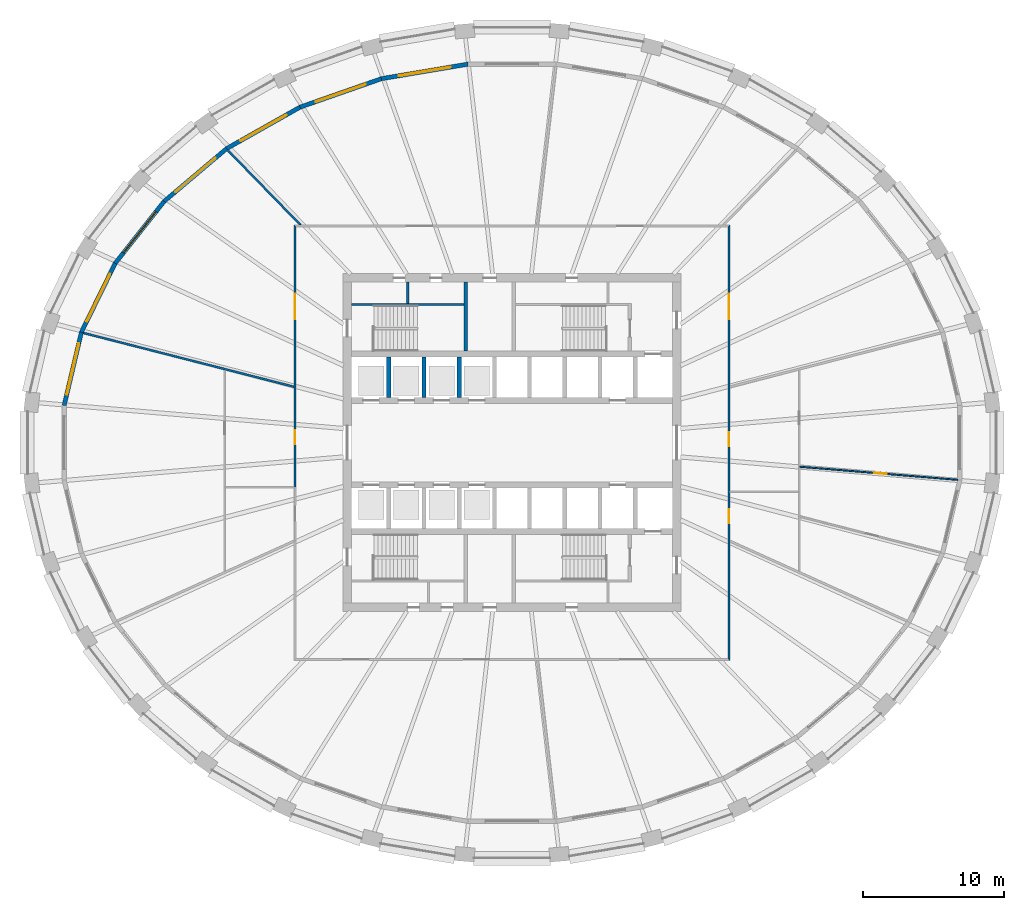
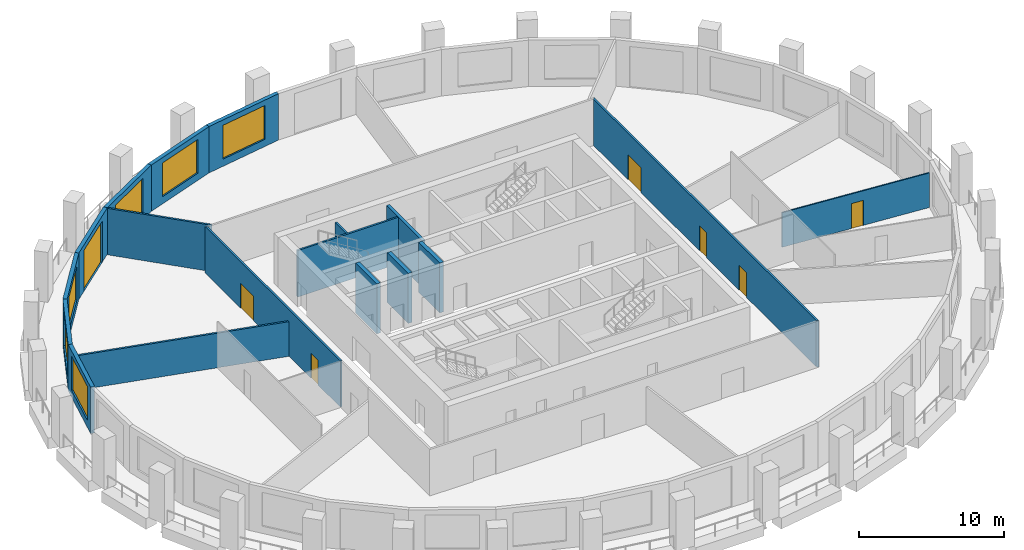
# One storey, part 5 of 10: 18 walls, 7 doors, 6 windows, 13 openings.
"""IFC4 building model written with IfcOpenShell, lengths in metres."""

from ifc_helpers import new_model, si_unit, direction, frame, frame_2d, origin, place, context, subcontext, project, spatial, polyline, rectangle, outline, extrude, material, layer, layer_set, type_object, element, fill, save


model = new_model("IFC4")

# Units and contexts
model_context = context("Model", 3, precision=1e-05, world=origin(), true_north=direction((0.0, 1.0)))
body_context = subcontext(model_context, "Body", "Model", "MODEL_VIEW")
ifc_project = project(units=[si_unit("LENGTHUNIT", "METRE"), si_unit("AREAUNIT", "SQUARE_METRE"), si_unit("VOLUMEUNIT", "CUBIC_METRE"), si_unit("PLANEANGLEUNIT", "RADIAN"), si_unit("MASSUNIT", "GRAM", prefix="KILO")], contexts=[model_context])

# Site, building, storey
site_placement = place(None, origin())
site = spatial("IfcSite", under=ifc_project, at=site_placement, CompositionType="ELEMENT")
building_placement = place(site_placement, origin())
building = spatial("IfcBuilding", under=site, at=building_placement, Name="Halqa Exchange Tower", CompositionType="ELEMENT")
storey_placement = place(building_placement, frame((0.0, 0.0, 138.10009765625)))
storey = spatial("IfcBuildingStorey", under=building, at=storey_placement, Name="L31", CompositionType="ELEMENT", Elevation=138.10009765625)

# Wall
ifc_material_1 = material(Name="Fire-rated gypsum board")
ifc_layer_1 = layer(ifc_material_1, 0.14990234375)
ifc_layer_set_1 = layer_set([ifc_layer_1], Name="Fire-rated gypsum board")
wall_type_1 = type_object("IfcWallType", Name="Fire partition EI 60 150", PredefinedType="PARTITIONING", material=ifc_layer_set_1)
wall_1_placement = place(storey_placement, frame((-30.434814453125, 7.794677734375, 0.0), z_axis=(0.0, 0.0, 1.0), x_axis=(0.968826155352, -0.247741560312, 0.0)))
element("IfcWall", 1, at=wall_1_placement, inside=storey, type_object=wall_type_1, Name="L31-PWL-001", PredefinedType="PARTITIONING", context=body_context, shape_type="SweptSolid", body=[
    extrude(outline(polyline([(0.0, -0.074951171875), (1.737060546875, -0.074951171875), (3.47412109375, -0.074951171875), (5.211181640625, -0.074951171875), (6.9482421875, -0.074951171875), (8.685302734375, -0.074951171875), (10.42236328125, -0.074951171875), (10.42822265625, -0.073486328125), (10.428466796875, -0.074951171875), (12.105712890625, -0.074951171875), (13.78271484375, -0.074951171875), (15.4599609375, -0.074951171875), (15.4599609375, -0.073486328125), (15.422119140625, 0.074951171875), (13.495849609375, 0.074951171875), (11.56982421875, 0.074951171875), (9.643798828125, 0.074951171875), (7.7177734375, 0.074951171875), (5.791748046875, 0.074951171875), (3.86572265625, 0.074951171875), (1.939453125, 0.074951171875), (0.013427734375, 0.074951171875), (0.0, 0.010498046875), (0.0, -0.074951171875)])), origin(), (0.0, 0.0, 1.0), 2.909912109375),
])

# Wall, openings, doors
wall_2_placement = place(storey_placement, frame((-15.39990234375, -3.159912109375, 0.0), z_axis=(0.0, 0.0, 1.0), x_axis=(0.0, 1.0, 0.0)))
wall_2 = element("IfcWall", 2, at=wall_2_placement, inside=storey, type_object=wall_type_1, Name="L31-PWL-008", PredefinedType="PARTITIONING", context=body_context, shape_type="SweptSolid", body=[
    extrude(outline(polyline([(0.0, -0.074951171875), (1.848388671875, -0.074951171875), (3.697021484375, -0.074951171875), (5.54541015625, -0.074951171875), (7.39404296875, -0.074951171875), (9.242431640625, -0.074951171875), (11.0908203125, -0.074951171875), (12.939453125, -0.074951171875), (14.787841796875, -0.074951171875), (16.636474609375, -0.074951171875), (18.48486328125, -0.074951171875), (18.634765625, 0.074951171875), (16.771240234375, 0.074951171875), (14.90771484375, 0.074951171875), (13.04443359375, 0.074951171875), (11.180908203125, 0.074951171875), (9.3173828125, 0.074951171875), (7.453857421875, 0.074951171875), (5.59033203125, 0.074951171875), (3.72705078125, 0.074951171875), (1.863525390625, 0.074951171875), (0.0, 0.074951171875), (0.0, -0.074951171875)])), origin(), (0.0, 0.0, 1.0), 3.89990234375),
])
opening_1_placement = place(wall_2_placement, frame((11.93505859375, 0.0, 0.0)))
opening_1 = element("IfcOpeningElement", 3, at=opening_1_placement, cuts=wall_2, Name="Opening 09-03", PredefinedType="OPENING", context=body_context, shape_type="SweptSolid", body=[
    extrude(rectangle(XDim=1.800048828125, YDim=2.10009765625, at=frame_2d((0.89990234375, 1.050048828125))), frame((0.0, 0.0869140625, 0.0), z_axis=(0.0, -1.0, 0.0), x_axis=(1.0, 0.0, 0.0)), (0.0, 0.0, 1.0), 0.173828125),
])
opening_2_placement = place(wall_2_placement, frame((3.054931640625, 0.0, 0.0)))
opening_2 = element("IfcOpeningElement", 4, at=opening_2_placement, cuts=wall_2, Name="Opening 09-05", PredefinedType="OPENING", context=body_context, shape_type="SweptSolid", body=[
    extrude(rectangle(XDim=1.0, YDim=2.10009765625, at=frame_2d((0.5, 1.050048828125))), frame((0.0, 0.0869140625, 0.0), z_axis=(0.0, -1.0, 0.0), x_axis=(1.0, 0.0, 0.0)), (0.0, 0.0, 1.0), 0.173828125),
])
ifc_material_2 = material(Name="Steel fire door leaf", Category="steel")
door_type_1 = type_object("IfcDoorType", Name="Fire door FD30S 1000 x 2100", OperationType="SINGLE_SWING_LEFT", PredefinedType="DOOR", material=ifc_material_2)
door_1_placement = place(opening_2_placement, origin())
door_1 = element("IfcDoor", 5, at=door_1_placement, inside=storey, type_object=door_type_1, Name="L31-IDR-005", OperationType="SINGLE_SWING_LEFT", OverallHeight=2.10009765625, OverallWidth=1.0, PredefinedType="DOOR", context=body_context, shape_type="SweptSolid", body=[
    extrude(rectangle(XDim=1.0, YDim=2.10009765625, at=frame_2d((0.5, 1.050048828125))), frame((0.0, 0.02490234375, 0.0), z_axis=(0.0, -1.0, 0.0), x_axis=(1.0, 0.0, 0.0)), (0.0, 0.0, 1.0), 0.050048828125),
])
fill(opening_2, door_1)
door_type_2 = type_object("IfcDoorType", Name="Fire door FD30S double 1800 x 2100", OperationType="DOUBLE_DOOR_SINGLE_SWING", PredefinedType="DOOR", material=ifc_material_2)
door_2_placement = place(opening_1_placement, origin())
door_2 = element("IfcDoor", 6, at=door_2_placement, inside=storey, type_object=door_type_2, Name="L31-IDR-003", OperationType="DOUBLE_DOOR_SINGLE_SWING", OverallHeight=2.10009765625, OverallWidth=1.800048828125, PredefinedType="DOOR", context=body_context, shape_type="SweptSolid", body=[
    extrude(rectangle(XDim=1.800048828125, YDim=2.10009765625, at=frame_2d((0.89990234375, 1.050048828125))), frame((0.0, 0.02490234375, 0.0), z_axis=(0.0, -1.0, 0.0), x_axis=(1.0, 0.0, 0.0)), (0.0, 0.0, 1.0), 0.050048828125),
])
fill(opening_1, door_2)

# Wall
wall_3_placement = place(storey_placement, frame((-14.982421875, 15.4228515625, 0.0), z_axis=(0.0, 0.0, 1.0), x_axis=(-0.69739829169, 0.716683767604, 0.0)))
element("IfcWall", 7, at=wall_3_placement, inside=storey, type_object=wall_type_1, Name="L31-PWL-010", PredefinedType="PARTITIONING", context=body_context, shape_type="SweptSolid", body=[
    extrude(outline(polyline([(7.430908203125, 0.074951171875), (5.609619140625, 0.074951171875), (3.788330078125, 0.074951171875), (1.967041015625, 0.074951171875), (0.145751953125, 0.074951171875), (0.0, -0.07470703125), (0.0, -0.074951171875), (1.857666015625, -0.074951171875), (3.71533203125, -0.074951171875), (5.5732421875, -0.074951171875), (7.430908203125, -0.074951171875), (7.430908203125, 0.074951171875)])), origin(), (0.0, 0.0, 1.0), 3.89990234375),
])

# Wall, openings, doors
wall_4_placement = place(storey_placement, frame((15.39990234375, -15.47509765625, 0.0), z_axis=(0.0, 0.0, 1.0), x_axis=(0.0, 1.0, 0.0)))
wall_4 = element("IfcWall", 8, at=wall_4_placement, inside=storey, type_object=wall_type_1, Name="L31-PWL-013", PredefinedType="PARTITIONING", context=body_context, shape_type="SweptSolid", body=[
    extrude(outline(polyline([(0.000244140625, -0.074951171875), (1.9345703125, -0.074951171875), (3.868896484375, -0.074951171875), (5.80322265625, -0.074951171875), (7.73779296875, -0.074951171875), (9.672119140625, -0.074951171875), (11.6064453125, -0.074951171875), (13.540771484375, -0.074951171875), (15.47509765625, -0.074951171875), (17.409423828125, -0.074951171875), (19.34375, -0.074951171875), (21.278076171875, -0.074951171875), (23.21240234375, -0.074951171875), (25.14697265625, -0.074951171875), (27.081298828125, -0.074951171875), (29.015625, -0.074951171875), (30.949951171875, -0.074951171875), (30.800048828125, 0.074951171875), (28.884521484375, 0.074951171875), (26.96875, 0.074951171875), (25.05322265625, 0.074951171875), (23.1376953125, 0.074951171875), (21.221923828125, 0.074951171875), (19.306396484375, 0.074951171875), (17.390625, 0.074951171875), (15.47509765625, 0.074951171875), (13.5595703125, 0.074951171875), (11.643798828125, 0.074951171875), (9.728271484375, 0.074951171875), (7.8125, 0.074951171875), (5.89697265625, 0.074951171875), (3.9814453125, 0.074951171875), (2.065673828125, 0.074951171875), (0.150146484375, 0.074951171875), (0.000244140625, -0.074951171875)])), origin(), (0.0, 0.0, 1.0), 3.89990234375),
])
opening_3_placement = place(wall_4_placement, frame((9.760009765625, 0.0, 0.0)))
opening_3 = element("IfcOpeningElement", 9, at=opening_3_placement, cuts=wall_4, Name="Opening 09-09", PredefinedType="OPENING", context=body_context, shape_type="SweptSolid", body=[
    extrude(rectangle(XDim=1.0, YDim=2.10009765625, at=frame_2d((0.5, 1.050048828125))), frame((0.0, 0.0869140625, 0.0), z_axis=(0.0, -1.0, 0.0), x_axis=(1.0, 0.0, 0.0)), (0.0, 0.0, 1.0), 0.173828125),
])
opening_4_placement = place(wall_4_placement, frame((15.2099609375, 0.0, 0.0)))
opening_4 = element("IfcOpeningElement", 10, at=opening_4_placement, cuts=wall_4, Name="Opening 09-10", PredefinedType="OPENING", context=body_context, shape_type="SweptSolid", body=[
    extrude(rectangle(XDim=1.0, YDim=2.10009765625, at=frame_2d((0.5, 1.050048828125))), frame((0.0, 0.0869140625, 0.0), z_axis=(0.0, -1.0, 0.0), x_axis=(1.0, 0.0, 0.0)), (0.0, 0.0, 1.0), 0.173828125),
])
opening_5_placement = place(wall_4_placement, frame((24.25, 0.0, 0.0)))
opening_5 = element("IfcOpeningElement", 11, at=opening_5_placement, cuts=wall_4, Name="Opening 09-11", PredefinedType="OPENING", context=body_context, shape_type="SweptSolid", body=[
    extrude(rectangle(XDim=1.800048828125, YDim=2.10009765625, at=frame_2d((0.89990234375, 1.050048828125))), frame((0.0, 0.0869140625, 0.0), z_axis=(0.0, -1.0, 0.0), x_axis=(1.0, 0.0, 0.0)), (0.0, 0.0, 1.0), 0.173828125),
])
door_3_placement = place(opening_3_placement, frame((1.0, 0.0, 0.0), z_axis=(0.0, 0.0, 1.0), x_axis=(-1.0, 0.0, 0.0)))
door_3 = element("IfcDoor", 12, at=door_3_placement, inside=storey, type_object=door_type_1, Name="L31-IDR-009", OperationType="SINGLE_SWING_LEFT", OverallHeight=2.10009765625, OverallWidth=1.0, PredefinedType="DOOR", context=body_context, shape_type="SweptSolid", body=[
    extrude(rectangle(XDim=1.0, YDim=2.10009765625, at=frame_2d((0.5, 1.050048828125))), frame((0.0, 0.02490234375, 0.0), z_axis=(0.0, -1.0, 0.0), x_axis=(1.0, 0.0, 0.0)), (0.0, 0.0, 1.0), 0.050048828125),
])
fill(opening_3, door_3)
door_4_placement = place(opening_4_placement, frame((1.0, 0.0, 0.0), z_axis=(0.0, 0.0, 1.0), x_axis=(-1.0, 0.0, 0.0)))
door_4 = element("IfcDoor", 13, at=door_4_placement, inside=storey, type_object=door_type_1, Name="L31-IDR-010", OperationType="SINGLE_SWING_RIGHT", OverallHeight=2.10009765625, OverallWidth=1.0, PredefinedType="DOOR", context=body_context, shape_type="SweptSolid", body=[
    extrude(rectangle(XDim=1.0, YDim=2.10009765625, at=frame_2d((0.5, 1.050048828125))), frame((0.0, 0.02490234375, 0.0), z_axis=(0.0, -1.0, 0.0), x_axis=(1.0, 0.0, 0.0)), (0.0, 0.0, 1.0), 0.050048828125),
])
fill(opening_4, door_4)
door_5_placement = place(opening_5_placement, frame((1.800048828125, 0.0, 0.0), z_axis=(0.0, 0.0, 1.0), x_axis=(-1.0, 0.0, 0.0)))
door_5 = element("IfcDoor", 14, at=door_5_placement, inside=storey, type_object=door_type_2, Name="L31-IDR-011", OperationType="DOUBLE_DOOR_SINGLE_SWING", OverallHeight=2.10009765625, OverallWidth=1.800048828125, PredefinedType="DOOR", context=body_context, shape_type="SweptSolid", body=[
    extrude(rectangle(XDim=1.800048828125, YDim=2.10009765625, at=frame_2d((0.89990234375, 1.050048828125))), frame((0.0, 0.02490234375, 0.0), z_axis=(0.0, -1.0, 0.0), x_axis=(1.0, 0.0, 0.0)), (0.0, 0.0, 1.0), 0.050048828125),
])
fill(opening_5, door_5)

# Wall, opening, door
ifc_material_3 = material(Name="Gypsum board")
ifc_layer_2 = layer(ifc_material_3, 0.10009765625)
ifc_layer_set_2 = layer_set([ifc_layer_2], Name="Gypsum board")
wall_type_2 = type_object("IfcWallType", Name="Partition 100 gypsum", PredefinedType="PARTITIONING", material=ifc_layer_set_2)
wall_5_placement = place(storey_placement, frame((20.4462890625, -1.703857421875, 0.0), z_axis=(0.0, 0.0, 1.0), x_axis=(0.996562664629, -0.082842353107, 0.0)))
wall_5 = element("IfcWall", 15, at=wall_5_placement, inside=storey, type_object=wall_type_2, Name="L31-PWL-020", PredefinedType="PARTITIONING", context=body_context, shape_type="SweptSolid", body=[
    extrude(outline(polyline([(0.0078125, -0.050048828125), (1.87939453125, -0.050048828125), (3.750732421875, -0.050048828125), (5.6220703125, -0.050048828125), (7.49365234375, -0.050048828125), (9.364990234375, -0.050048828125), (11.236328125, -0.050048828125), (11.239990234375, -0.026123046875), (11.239990234375, 0.050048828125), (9.36669921875, 0.050048828125), (7.493408203125, 0.050048828125), (5.6201171875, 0.050048828125), (3.74658203125, 0.050048828125), (1.873291015625, 0.050048828125), (0.0, 0.050048828125), (0.0, 0.044677734375), (0.0078125, -0.050048828125)])), origin(), (0.0, 0.0, 1.0), 2.909912109375),
])
opening_6_placement = place(wall_5_placement, frame((5.29833984375, 0.0, 0.0)))
opening_6 = element("IfcOpeningElement", 16, at=opening_6_placement, cuts=wall_5, Name="Opening 09-14", PredefinedType="OPENING", context=body_context, shape_type="SweptSolid", body=[
    extrude(rectangle(XDim=0.89990234375, YDim=2.10009765625, at=frame_2d((0.449951171875, 1.050048828125))), frame((0.0, 0.06201171875, 0.0), z_axis=(0.0, -1.0, 0.0), x_axis=(1.0, 0.0, 0.0)), (0.0, 0.0, 1.0), 0.1240234375),
])
ifc_material_4 = material(Name="Timber door leaf", Category="wood")
door_type_3 = type_object("IfcDoorType", Name="Door 900 x 2100", OperationType="SINGLE_SWING_LEFT", PredefinedType="DOOR", material=ifc_material_4)
door_6_placement = place(opening_6_placement, frame((0.89990234375, 0.0, 0.0), z_axis=(0.0, 0.0, 1.0), x_axis=(-1.0, 0.0, 0.0)))
door_6 = element("IfcDoor", 17, at=door_6_placement, inside=storey, type_object=door_type_3, Name="L31-IDR-014", OperationType="SINGLE_SWING_LEFT", OverallHeight=2.10009765625, OverallWidth=0.89990234375, PredefinedType="DOOR", context=body_context, shape_type="SweptSolid", body=[
    extrude(rectangle(XDim=0.89990234375, YDim=2.10009765625, at=frame_2d((0.449951171875, 1.050048828125))), frame((0.0, 0.02490234375, 0.0), z_axis=(0.0, -1.0, 0.0), x_axis=(1.0, 0.0, 0.0)), (0.0, 0.0, 1.0), 0.050048828125),
])
fill(opening_6, door_6)

# Walls
ifc_layer_3 = layer(ifc_material_3, 0.14990234375)
ifc_layer_set_3 = layer_set([ifc_layer_3], Name="Gypsum board")
wall_type_3 = type_object("IfcWallType", Name="Penthouse riser wall 150 gypsum", PredefinedType="PARTITIONING", material=ifc_layer_set_3)
wall_6_placement = place(storey_placement, frame((-7.39990234375, 9.89990234375, 0.0), z_axis=(0.0, 0.0, 1.0), x_axis=(0.0, 1.0, 0.0)))
element("IfcWall", 18, at=wall_6_placement, inside=storey, type_object=wall_type_3, Name="Partition W7.400 N", PredefinedType="PARTITIONING", context=body_context, shape_type="SweptSolid", body=[
    extrude(rectangle(XDim=1.5, YDim=0.14990234375, at=frame_2d((0.75, 0.0))), origin(), (0.0, 0.0, 1.0), 3.89990234375),
])
ifc_material_5 = material(Name="Concrete C60/75", Category="concrete")
ifc_layer_4 = layer(ifc_material_5, 0.300048828125)
ifc_layer_set_4 = layer_set([ifc_layer_4], Name="Concrete C60/75")
wall_type_4 = type_object("IfcWallType", Name="RC core wall 300", PredefinedType="SHEAR", material=ifc_layer_set_4)
for number, where, z_axis, x_axis, name in (
    (19, (-8.75, 3.199951171875, 0.0), (0.0, 0.0, 1.0), (0.0, 1.0, 0.0), "Shaft divider N1"),
    (20, (-6.25, 3.199951171875, 0.0), (0.0, 0.0, 1.0), (0.0, 1.0, 0.0), "Shaft divider N2"),
    (21, (-3.75, 3.199951171875, 0.0), (0.0, 0.0, 1.0), (0.0, 1.0, 0.0), "Shaft divider N3"),
):
    element("IfcWall", number, at=place(storey_placement, frame(where, z_axis=z_axis, x_axis=x_axis)), inside=storey, type_object=wall_type_4, Name=name, PredefinedType="SHEAR", context=body_context, shape_type="SweptSolid", body=[
        extrude(rectangle(XDim=2.900146484375, YDim=0.300048828125, at=frame_2d((1.4501953125, 0.0))), origin(), (0.0, 0.0, 1.0), 4.199951171875),
    ])
ifc_material_6 = material(Name="Concrete C30/37", Category="concrete")
ifc_layer_5 = layer(ifc_material_6, 0.14990234375)
ifc_layer_set_5 = layer_set([ifc_layer_5], Name="Concrete C30/37")
wall_type_5 = type_object("IfcWallType", Name="RC stair wall 150 C30/37", PredefinedType="SHEAR", material=ifc_layer_set_5)
wall_7_placement = place(storey_placement, frame((-11.39990234375, 9.824951171875, 0.0), z_axis=(0.0, 0.0, 1.0), x_axis=(1.0, 0.0, 0.0)))
element("IfcWall", 22, at=wall_7_placement, inside=storey, type_object=wall_type_5, Name="Stair ST1 north wall N", PredefinedType="SHEAR", context=body_context, shape_type="SweptSolid", body=[
    extrude(rectangle(XDim=8.0, YDim=0.14990234375, at=frame_2d((4.0, 0.0))), origin(), (0.0, 0.0, 1.0), 3.89990234375),
])
ifc_layer_6 = layer(ifc_material_6, 0.25)
ifc_layer_set_6 = layer_set([ifc_layer_6], Name="Concrete C30/37")
wall_type_6 = type_object("IfcWallType", Name="RC stair wall 250 C30/37", PredefinedType="SHEAR", material=ifc_layer_set_6)
wall_8_placement = place(storey_placement, frame((-3.27490234375, 6.5, 0.0), z_axis=(0.0, 0.0, 1.0), x_axis=(0.0, 1.0, 0.0)))
element("IfcWall", 23, at=wall_8_placement, inside=storey, type_object=wall_type_6, Name="Stair ST1 east wall N", PredefinedType="SHEAR", context=body_context, shape_type="SweptSolid", body=[
    extrude(rectangle(XDim=4.89990234375, YDim=0.25, at=frame_2d((2.449951171875, 0.0))), origin(), (0.0, 0.0, 1.0), 3.89990234375),
])

# Wall, opening, window
ifc_material_7 = material(Name="Limestone cladding", Category="masonry")
ifc_layer_7 = layer(ifc_material_7, 0.0400390625)
ifc_material_8 = material(Name="Ventilated cavity")
ifc_layer_8 = layer(ifc_material_8, 0.030029296875, ventilated=True)
ifc_material_9 = material(Name="Mineral wool insulation")
ifc_layer_9 = layer(ifc_material_9, 0.10009765625)
ifc_layer_10 = layer(ifc_material_6, 0.10009765625)
ifc_material_10 = material(Name="Internal plaster")
ifc_layer_11 = layer(ifc_material_10, 0.030029296875)
ifc_layer_set_7 = layer_set([ifc_layer_7, ifc_layer_8, ifc_layer_9, ifc_layer_10, ifc_layer_11], Name="Stone-faced insulated wall 300")
wall_type_7 = type_object("IfcWallType", Name="Stone-faced insulated wall 300", PredefinedType="STANDARD", material=ifc_layer_set_7)
wall_9_placement = place(storey_placement, frame((-3.1298828125, 26.88232421875, 0.0), z_axis=(0.0, 0.0, 1.0), x_axis=(-0.9861811474, -0.165670590368, 0.0)))
wall_9 = element("IfcWall", 24, at=wall_9_placement, inside=storey, type_object=wall_type_7, Name="Glass-line wall 9", PredefinedType="STANDARD", context=body_context, shape_type="SweptSolid", body=[
    extrude(outline(polyline([(-0.012451171875, -0.14990234375), (6.23876953125, -0.14990234375), (6.21337890625, 0.14990234375), (0.012451171875, 0.14990234375), (-0.012451171875, -0.14990234375)])), origin(), (0.0, 0.0, 1.0), 3.89990234375),
])
opening_7_placement = place(wall_9_placement, frame((1.238037109375, 0.0, 0.60009765625)))
opening_7 = element("IfcOpeningElement", 25, at=opening_7_placement, cuts=wall_9, Name="Opening W-F2-09", PredefinedType="OPENING", context=body_context, shape_type="SweptSolid", body=[
    extrude(rectangle(XDim=3.75, YDim=2.85009765625, at=frame_2d((1.875, 1.425048828125))), frame((0.0, 0.162109375, 0.0), z_axis=(0.0, -1.0, 0.0), x_axis=(1.0, 0.0, 0.0)), (0.0, 0.0, 1.0), 0.323974609375),
])
ifc_material_11 = material(Name="Clear low-emissivity glass in aluminium frame", Category="aluminium")
window_type = type_object("IfcWindowType", Name="Fixed clear glazed window 3750 x 2850", PartitioningType="TRIPLE_PANEL_VERTICAL", PredefinedType="WINDOW", material=ifc_material_11)
window_1_placement = place(opening_7_placement, origin())
window_1 = element("IfcWindow", 26, at=window_1_placement, inside=storey, type_object=window_type, Name="Window 2", OverallHeight=2.85009765625, OverallWidth=3.75, PartitioningType="TRIPLE_PANEL_VERTICAL", PredefinedType="WINDOW", context=body_context, shape_type="SweptSolid", body=[
    extrude(rectangle(XDim=3.75, YDim=2.85009765625, at=frame_2d((1.875, 1.425048828125))), frame((0.0, 0.030029296875, 0.0), z_axis=(0.0, -1.0, 0.0), x_axis=(1.0, 0.0, 0.0)), (0.0, 0.0, 1.0), 0.06005859375),
])
fill(opening_7, window_1)

wall_10_placement = place(storey_placement, frame((-9.27001953125, 25.850830078125, 0.0), z_axis=(0.0, 0.0, 1.0), x_axis=(-0.943911133508, -0.330199594245, 0.0)))
wall_10 = element("IfcWall", 27, at=wall_10_placement, inside=storey, type_object=wall_type_7, Name="Glass-line wall 10", PredefinedType="STANDARD", context=body_context, shape_type="SweptSolid", body=[
    extrude(outline(polyline([(-0.0126953125, -0.14990234375), (6.14208984375, -0.14990234375), (6.115234375, 0.14990234375), (0.0126953125, 0.14990234375), (-0.0126953125, -0.14990234375)])), origin(), (0.0, 0.0, 1.0), 3.89990234375),
])
opening_8_placement = place(wall_10_placement, frame((1.189208984375, 0.0, 0.60009765625)))
opening_8 = element("IfcOpeningElement", 28, at=opening_8_placement, cuts=wall_10, Name="Opening W-F2-10", PredefinedType="OPENING", context=body_context, shape_type="SweptSolid", body=[
    extrude(rectangle(XDim=3.75, YDim=2.85009765625, at=frame_2d((1.875, 1.425048828125))), frame((0.0, 0.162109375, 0.0), z_axis=(0.0, -1.0, 0.0), x_axis=(1.0, 0.0, 0.0)), (0.0, 0.0, 1.0), 0.323974609375),
])
window_2_placement = place(opening_8_placement, origin())
window_2 = element("IfcWindow", 29, at=window_2_placement, inside=storey, type_object=window_type, Name="Window 2", OverallHeight=2.85009765625, OverallWidth=3.75, PartitioningType="TRIPLE_PANEL_VERTICAL", PredefinedType="WINDOW", context=body_context, shape_type="SweptSolid", body=[
    extrude(rectangle(XDim=3.75, YDim=2.85009765625, at=frame_2d((1.875, 1.425048828125))), frame((0.0, 0.030029296875, 0.0), z_axis=(0.0, -1.0, 0.0), x_axis=(1.0, 0.0, 0.0)), (0.0, 0.0, 1.0), 0.06005859375),
])
fill(opening_8, window_2)

wall_11_placement = place(storey_placement, frame((-15.054931640625, 23.8271484375, 0.0), z_axis=(0.0, 0.0, 1.0), x_axis=(-0.87090857883, -0.491445060327, 0.0)))
wall_11 = element("IfcWall", 30, at=wall_11_placement, inside=storey, type_object=wall_type_7, Name="Glass-line wall 11", PredefinedType="STANDARD", context=body_context, shape_type="SweptSolid", body=[
    extrude(outline(polyline([(-0.013427734375, -0.14990234375), (5.994384765625, -0.14990234375), (5.966064453125, 0.14990234375), (0.013427734375, 0.14990234375), (-0.013427734375, -0.14990234375)])), origin(), (0.0, 0.0, 1.0), 3.89990234375),
])
opening_9_placement = place(wall_11_placement, frame((1.114990234375, 0.0, 0.60009765625)))
opening_9 = element("IfcOpeningElement", 31, at=opening_9_placement, cuts=wall_11, Name="Opening W-F2-11", PredefinedType="OPENING", context=body_context, shape_type="SweptSolid", body=[
    extrude(rectangle(XDim=3.75, YDim=2.85009765625, at=frame_2d((1.875, 1.425048828125))), frame((0.0, 0.162109375, 0.0), z_axis=(0.0, -1.0, 0.0), x_axis=(1.0, 0.0, 0.0)), (0.0, 0.0, 1.0), 0.323974609375),
])
window_3_placement = place(opening_9_placement, origin())
window_3 = element("IfcWindow", 32, at=window_3_placement, inside=storey, type_object=window_type, Name="Window 2", OverallHeight=2.85009765625, OverallWidth=3.75, PartitioningType="TRIPLE_PANEL_VERTICAL", PredefinedType="WINDOW", context=body_context, shape_type="SweptSolid", body=[
    extrude(rectangle(XDim=3.75, YDim=2.85009765625, at=frame_2d((1.875, 1.425048828125))), frame((0.0, 0.030029296875, 0.0), z_axis=(0.0, -1.0, 0.0), x_axis=(1.0, 0.0, 0.0)), (0.0, 0.0, 1.0), 0.06005859375),
])
fill(opening_9, window_3)

# Wall, opening, door
wall_12_placement = place(storey_placement, frame((-20.26318359375, 20.88818359375, 0.0), z_axis=(0.0, 0.0, 1.0), x_axis=(-0.763963973896, -0.645258898884, 0.0)))
wall_12 = element("IfcWall", 33, at=wall_12_placement, inside=storey, type_object=wall_type_7, Name="Glass-line wall 12", PredefinedType="STANDARD", context=body_context, shape_type="SweptSolid", body=[
    extrude(outline(polyline([(-0.01416015625, -0.14990234375), (5.81494140625, -0.14990234375), (5.78466796875, 0.14990234375), (0.01416015625, 0.14990234375), (-0.01416015625, -0.14990234375)])), origin(), (0.0, 0.0, 1.0), 3.89990234375),
])
opening_10_placement = place(wall_12_placement, frame((1.02490234375, 0.0, 0.0)))
opening_10 = element("IfcOpeningElement", 34, at=opening_10_placement, cuts=wall_12, Name="Opening LG-F2-03", PredefinedType="OPENING", context=body_context, shape_type="SweptSolid", body=[
    extrude(rectangle(XDim=3.75, YDim=3.449951171875, at=frame_2d((1.875, 1.72509765625))), frame((0.0, 0.162109375, 0.0), z_axis=(0.0, -1.0, 0.0), x_axis=(1.0, 0.0, 0.0)), (0.0, 0.0, 1.0), 0.323974609375),
])
door_type_4 = type_object("IfcDoorType", Name="Glazed sliding loggia door 3750 x 3450", OperationType="DOUBLE_DOOR_SLIDING", PredefinedType="DOOR", material=ifc_material_11)
door_7_placement = place(opening_10_placement, origin())
door_7 = element("IfcDoor", 35, at=door_7_placement, inside=storey, type_object=door_type_4, Name="Loggia door 3", OperationType="DOUBLE_DOOR_SLIDING", OverallHeight=3.449951171875, OverallWidth=3.75, PredefinedType="DOOR", context=body_context, shape_type="SweptSolid", body=[
    extrude(rectangle(XDim=3.75, YDim=3.449951171875, at=frame_2d((1.875, 1.72509765625))), frame((0.0, 0.02490234375, 0.0), z_axis=(0.0, -1.0, 0.0), x_axis=(1.0, 0.0, 0.0)), (0.0, 0.0, 1.0), 0.050048828125),
])
fill(opening_10, door_7)

# Wall, opening, window
wall_13_placement = place(storey_placement, frame((-24.694091796875, 17.145751953125, 0.0), z_axis=(0.0, 0.0, 1.0), x_axis=(-0.620464552431, -0.784234492468, 0.0)))
wall_13 = element("IfcWall", 36, at=wall_13_placement, inside=storey, type_object=wall_type_7, Name="Glass-line wall 13", PredefinedType="STANDARD", context=body_context, shape_type="SweptSolid", body=[
    extrude(outline(polyline([(-0.01513671875, -0.14990234375), (5.63037109375, -0.14990234375), (5.59814453125, 0.14990234375), (0.01513671875, 0.14990234375), (-0.01513671875, -0.14990234375)])), origin(), (0.0, 0.0, 1.0), 3.89990234375),
])
opening_11_placement = place(wall_13_placement, frame((0.931884765625, 0.0, 0.60009765625)))
opening_11 = element("IfcOpeningElement", 37, at=opening_11_placement, cuts=wall_13, Name="Opening W-F2-13", PredefinedType="OPENING", context=body_context, shape_type="SweptSolid", body=[
    extrude(rectangle(XDim=3.75, YDim=2.85009765625, at=frame_2d((1.875, 1.425048828125))), frame((0.0, 0.162109375, 0.0), z_axis=(0.0, -1.0, 0.0), x_axis=(1.0, 0.0, 0.0)), (0.0, 0.0, 1.0), 0.323974609375),
])
window_4_placement = place(opening_11_placement, origin())
window_4 = element("IfcWindow", 38, at=window_4_placement, inside=storey, type_object=window_type, Name="Window 2", OverallHeight=2.85009765625, OverallWidth=3.75, PartitioningType="TRIPLE_PANEL_VERTICAL", PredefinedType="WINDOW", context=body_context, shape_type="SweptSolid", body=[
    extrude(rectangle(XDim=3.75, YDim=2.85009765625, at=frame_2d((1.875, 1.425048828125))), frame((0.0, 0.030029296875, 0.0), z_axis=(0.0, -1.0, 0.0), x_axis=(1.0, 0.0, 0.0)), (0.0, 0.0, 1.0), 0.06005859375),
])
fill(opening_11, window_4)

wall_14_placement = place(storey_placement, frame((-28.177490234375, 12.742919921875, 0.0), z_axis=(0.0, 0.0, 1.0), x_axis=(-0.440321465864, -0.897840189956, 0.0)))
wall_14 = element("IfcWall", 39, at=wall_14_placement, inside=storey, type_object=wall_type_7, Name="Glass-line wall 14", PredefinedType="STANDARD", context=body_context, shape_type="SweptSolid", body=[
    extrude(outline(polyline([(-0.01611328125, -0.14990234375), (5.46826171875, -0.14990234375), (5.4345703125, 0.14990234375), (0.01611328125, 0.14990234375), (-0.01611328125, -0.14990234375)])), origin(), (0.0, 0.0, 1.0), 3.89990234375),
])
opening_12_placement = place(wall_14_placement, frame((0.850830078125, 0.0, 0.60009765625)))
opening_12 = element("IfcOpeningElement", 40, at=opening_12_placement, cuts=wall_14, Name="Opening W-F2-14", PredefinedType="OPENING", context=body_context, shape_type="SweptSolid", body=[
    extrude(rectangle(XDim=3.75, YDim=2.85009765625, at=frame_2d((1.875, 1.425048828125))), frame((0.0, 0.162109375, 0.0), z_axis=(0.0, -1.0, 0.0), x_axis=(1.0, 0.0, 0.0)), (0.0, 0.0, 1.0), 0.323974609375),
])
window_5_placement = place(opening_12_placement, origin())
window_5 = element("IfcWindow", 41, at=window_5_placement, inside=storey, type_object=window_type, Name="Window 2", OverallHeight=2.85009765625, OverallWidth=3.75, PartitioningType="TRIPLE_PANEL_VERTICAL", PredefinedType="WINDOW", context=body_context, shape_type="SweptSolid", body=[
    extrude(rectangle(XDim=3.75, YDim=2.85009765625, at=frame_2d((1.875, 1.425048828125))), frame((0.0, 0.030029296875, 0.0), z_axis=(0.0, -1.0, 0.0), x_axis=(1.0, 0.0, 0.0)), (0.0, 0.0, 1.0), 0.06005859375),
])
fill(opening_12, window_5)

wall_15_placement = place(storey_placement, frame((-30.577880859375, 7.848388671875, 0.0), z_axis=(0.0, 0.0, 1.0), x_axis=(-0.229227895667, -0.973372781543, 0.0)))
wall_15 = element("IfcWall", 42, at=wall_15_placement, inside=storey, type_object=wall_type_7, Name="Glass-line wall 15", PredefinedType="STANDARD", context=body_context, shape_type="SweptSolid", body=[
    extrude(outline(polyline([(-0.016845703125, -0.14990234375), (5.357421875, -0.14990234375), (5.32275390625, 0.14990234375), (0.016845703125, 0.14990234375), (-0.016845703125, -0.14990234375)])), origin(), (0.0, 0.0, 1.0), 3.89990234375),
])
opening_13_placement = place(wall_15_placement, frame((0.795166015625, 0.0, 0.60009765625)))
opening_13 = element("IfcOpeningElement", 43, at=opening_13_placement, cuts=wall_15, Name="Opening W-F2-15", PredefinedType="OPENING", context=body_context, shape_type="SweptSolid", body=[
    extrude(rectangle(XDim=3.75, YDim=2.85009765625, at=frame_2d((1.875, 1.425048828125))), frame((0.0, 0.162109375, 0.0), z_axis=(0.0, -1.0, 0.0), x_axis=(1.0, 0.0, 0.0)), (0.0, 0.0, 1.0), 0.323974609375),
])
window_6_placement = place(opening_13_placement, origin())
window_6 = element("IfcWindow", 44, at=window_6_placement, inside=storey, type_object=window_type, Name="Window 2", OverallHeight=2.85009765625, OverallWidth=3.75, PartitioningType="TRIPLE_PANEL_VERTICAL", PredefinedType="WINDOW", context=body_context, shape_type="SweptSolid", body=[
    extrude(rectangle(XDim=3.75, YDim=2.85009765625, at=frame_2d((1.875, 1.425048828125))), frame((0.0, 0.030029296875, 0.0), z_axis=(0.0, -1.0, 0.0), x_axis=(1.0, 0.0, 0.0)), (0.0, 0.0, 1.0), 0.06005859375),
])
fill(opening_13, window_6)

save(model, "model.ifc")
